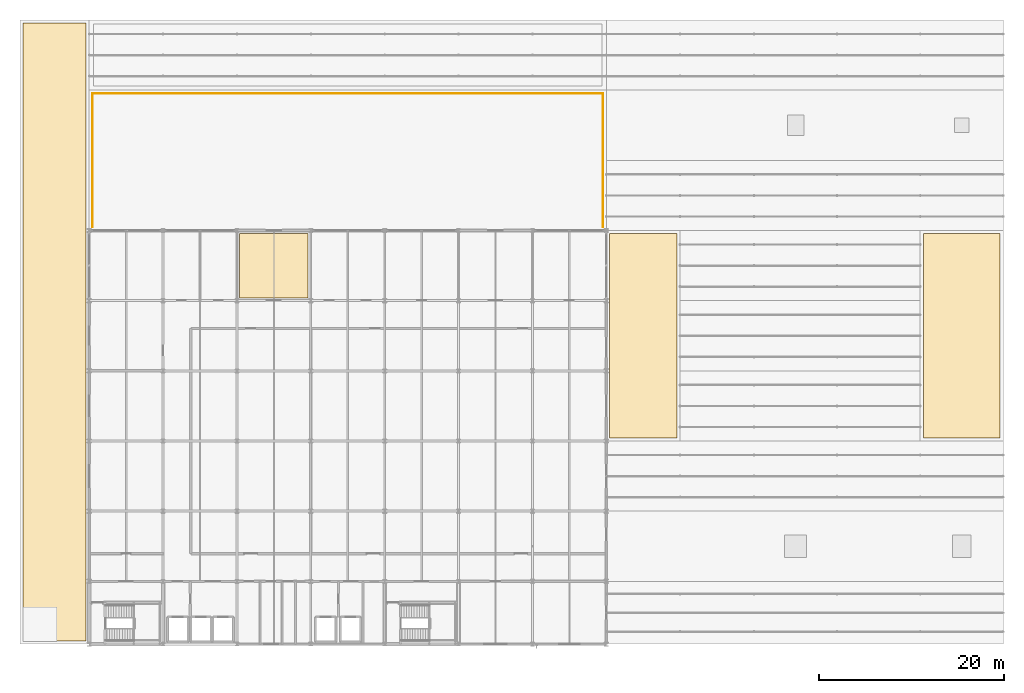
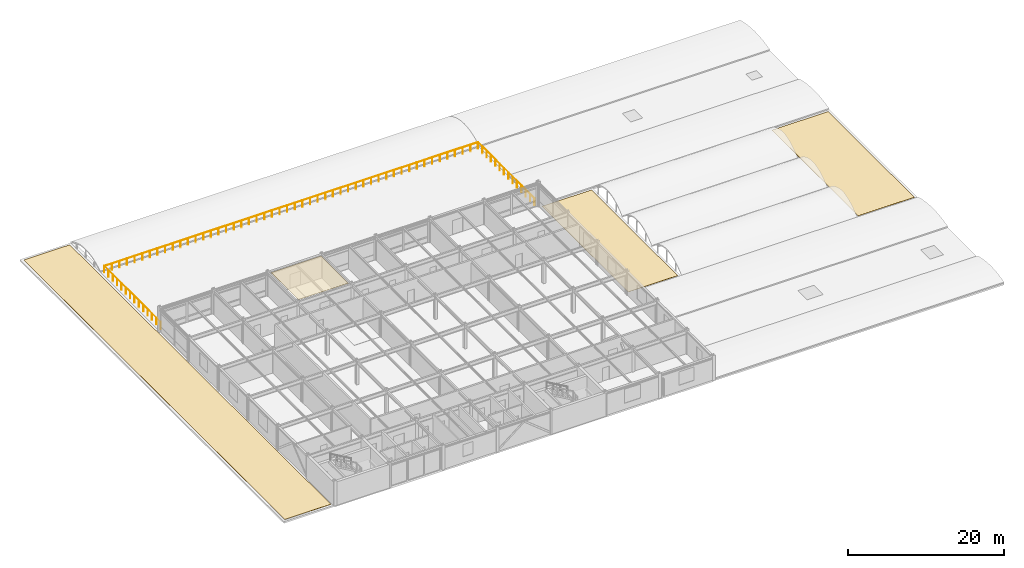
# One storey, part 46 of 46: 4 coverings, 1 railing.
"""IFC4 building model written with IfcOpenShell, lengths in metres."""

from ifc_helpers import new_model, si_unit, direction, frame, origin, origin_2d, place, context, subcontext, project, spatial, polyline, circle, outline, extrude, material, layer, layer_set, type_object, element, save


model = new_model("IFC4")

# Units and contexts
model_context = context("Model", 3, precision=1e-05, world=origin(), true_north=direction((0.0, 1.0)))
body_context = subcontext(model_context, "Body", "Model", "MODEL_VIEW")
ifc_project = project(units=[si_unit("LENGTHUNIT", "METRE"), si_unit("AREAUNIT", "SQUARE_METRE"), si_unit("VOLUMEUNIT", "CUBIC_METRE"), si_unit("PLANEANGLEUNIT", "RADIAN"), si_unit("MASSUNIT", "GRAM", prefix="KILO")], contexts=[model_context])

# Site, building, storey
site_placement = place(None, origin())
site = spatial("IfcSite", under=ifc_project, at=site_placement, CompositionType="ELEMENT")
building_placement = place(site_placement, origin())
building = spatial("IfcBuilding", under=site, at=building_placement, Name="Shalkamar Park Central Library", CompositionType="ELEMENT")
storey_placement = place(building_placement, frame((0.0, 0.0, 20.39990234375)))
storey = spatial("IfcBuildingStorey", under=building, at=storey_placement, Name="L05", CompositionType="ELEMENT", Elevation=20.39990234375)

# Coverings
ifc_material_1 = material(Name="Acoustic mineral fibre ceiling panel", Category="other")
ifc_layer_1 = layer(ifc_material_1, 0.02490234375)
ifc_layer_set_1 = layer_set([ifc_layer_1], Name="AcousticMineralCeilingTile")
covering_type_1 = type_object("IfcCoveringType", Name="Acoustic Mineral Ceiling Tile", PredefinedType="CEILING", material=ifc_layer_set_1)
covering_1_placement = place(storey_placement, frame((0.0, 0.0, 3.635009765625)))
element("IfcCovering", 1, at=covering_1_placement, inside=storey, type_object=covering_type_1, Name="Acoustic Reading Ceiling Panel L05", PredefinedType="CEILING", context=body_context, shape_type="SweptSolid", body=[
    extrude(outline(polyline([(181.300048828125, 285.89990234375), (188.699951171875, 285.89990234375), (188.699951171875, 292.89990234375), (181.300048828125, 292.89990234375), (181.300048828125, 285.89990234375)])), origin(), (0.0, 0.0, 1.0), 0.025146484375),
])
ifc_material_2 = material(Name="SBS modified bitumen roofing membrane", Category="other")
ifc_layer_2 = layer(ifc_material_2, 0.030029296875)
ifc_layer_set_2 = layer_set([ifc_layer_2], Name="ColdClimateRoofMembrane")
covering_type_2 = type_object("IfcCoveringType", Name="Cold Climate Roof Membrane", PredefinedType="ROOFING", material=ifc_layer_set_2)
covering_2_placement = place(storey_placement, origin())
element("IfcCovering", 2, at=covering_2_placement, inside=storey, type_object=covering_type_2, Name="SBS Roof Waterproofing Membrane RF-L04-W", PredefinedType="ROOFING", context=body_context, shape_type="SweptSolid", body=[
    extrude(outline(polyline([(157.85009765625, 248.75), (164.64990234375, 248.75), (164.64990234375, 315.64990234375), (157.85009765625, 315.64990234375), (157.85009765625, 248.75)])), origin(), (0.0, 0.0, 1.0), 0.030029296875),
])
covering_3_placement = place(storey_placement, origin())
element("IfcCovering", 3, at=covering_3_placement, inside=storey, type_object=covering_type_2, Name="SBS Roof Waterproofing Membrane RF-L04-CM", PredefinedType="ROOFING", context=body_context, shape_type="SweptSolid", body=[
    extrude(outline(polyline([(221.35009765625, 270.75), (228.64990234375, 270.75), (228.64990234375, 292.85009765625), (221.35009765625, 292.85009765625), (221.35009765625, 270.75)])), origin(), (0.0, 0.0, 1.0), 0.030029296875),
])
covering_4_placement = place(storey_placement, origin())
element("IfcCovering", 4, at=covering_4_placement, inside=storey, type_object=covering_type_2, Name="SBS Roof Waterproofing Membrane RF-L04-EE", PredefinedType="ROOFING", context=body_context, shape_type="SweptSolid", body=[
    extrude(outline(polyline([(255.35009765625, 270.75), (263.64990234375, 270.75), (263.64990234375, 292.85009765625), (255.35009765625, 292.85009765625), (255.35009765625, 270.75)])), origin(), (0.0, 0.0, 1.0), 0.030029296875),
])

# Railing
ifc_material_3 = material(Name="Steel S355", Category="steel")
railing_type = type_object("IfcRailingType", Name="Terrace Balustrade Guard 1100", PredefinedType="GUARDRAIL", material=ifc_material_3)
railing_placement = place(storey_placement, frame((165.360107421875, 293.56005859375, 0.0)))
element("IfcRailing", 5, at=railing_placement, inside=storey, type_object=railing_type, Name="Terrace Balustrade Guardrail TER-L05-POD", PredefinedType="GUARDRAIL", context=body_context, shape_type="SweptSolid", body=[
    extrude(circle(Radius=0.02392578125, at=origin_2d()), frame((0.0, 0.0, 1.076171875), z_axis=(0.0, 1.0, 0.0), x_axis=(-1.0, 0.0, 0.0)), (0.0, 0.0, 1.0), 14.47998046875),
    extrude(circle(Radius=0.02392578125, at=origin_2d()), frame((0.0, 14.47998046875, 1.076171875), z_axis=(1.0, 0.0, 0.0), x_axis=(0.0, 1.0, 0.0)), (0.0, 0.0, 1.0), 55.27978515625),
    extrude(circle(Radius=0.02392578125, at=origin_2d()), frame((55.27978515625, 14.47998046875, 1.076171875), z_axis=(0.0, -1.0, 0.0), x_axis=(1.0, 0.0, 0.0)), (0.0, 0.0, 1.0), 14.47998046875),
    extrude(circle(Radius=0.02099609375, at=origin_2d()), origin(), (0.0, 0.0, 1.0), 1.052001953125),
    extrude(circle(Radius=0.02099609375, at=origin_2d()), frame((0.0, 1.11376953125, 0.0)), (0.0, 0.0, 1.0), 1.052001953125),
    extrude(circle(Radius=0.02099609375, at=origin_2d()), frame((0.0, 2.227783203125, 0.0)), (0.0, 0.0, 1.0), 1.052001953125),
    extrude(circle(Radius=0.02099609375, at=origin_2d()), frame((0.0, 3.341552734375, 0.0)), (0.0, 0.0, 1.0), 1.052001953125),
    extrude(circle(Radius=0.02099609375, at=origin_2d()), frame((0.0, 4.455322265625, 0.0)), (0.0, 0.0, 1.0), 1.052001953125),
    extrude(circle(Radius=0.02099609375, at=origin_2d()), frame((0.0, 5.5693359375, 0.0)), (0.0, 0.0, 1.0), 1.052001953125),
    extrude(circle(Radius=0.02099609375, at=origin_2d()), frame((0.0, 6.68310546875, 0.0)), (0.0, 0.0, 1.0), 1.052001953125),
    extrude(circle(Radius=0.02099609375, at=origin_2d()), frame((0.0, 7.796875, 0.0)), (0.0, 0.0, 1.0), 1.052001953125),
    extrude(circle(Radius=0.02099609375, at=origin_2d()), frame((0.0, 8.91064453125, 0.0)), (0.0, 0.0, 1.0), 1.052001953125),
    extrude(circle(Radius=0.02099609375, at=origin_2d()), frame((0.0, 10.024658203125, 0.0)), (0.0, 0.0, 1.0), 1.052001953125),
    extrude(circle(Radius=0.02099609375, at=origin_2d()), frame((0.0, 11.138427734375, 0.0)), (0.0, 0.0, 1.0), 1.052001953125),
    extrude(circle(Radius=0.02099609375, at=origin_2d()), frame((0.0, 12.252197265625, 0.0)), (0.0, 0.0, 1.0), 1.052001953125),
    extrude(circle(Radius=0.02099609375, at=origin_2d()), frame((0.0, 13.3662109375, 0.0)), (0.0, 0.0, 1.0), 1.052001953125),
    extrude(circle(Radius=0.02099609375, at=origin_2d()), frame((0.0, 14.47998046875, 0.0)), (0.0, 0.0, 1.0), 1.052001953125),
    extrude(circle(Radius=0.02099609375, at=origin_2d()), frame((1.128173828125, 14.47998046875, 0.0)), (0.0, 0.0, 1.0), 1.052001953125),
    extrude(circle(Radius=0.02099609375, at=origin_2d()), frame((2.25634765625, 14.47998046875, 0.0)), (0.0, 0.0, 1.0), 1.052001953125),
    extrude(circle(Radius=0.02099609375, at=origin_2d()), frame((3.384521484375, 14.47998046875, 0.0)), (0.0, 0.0, 1.0), 1.052001953125),
    extrude(circle(Radius=0.02099609375, at=origin_2d()), frame((4.5126953125, 14.47998046875, 0.0)), (0.0, 0.0, 1.0), 1.052001953125),
    extrude(circle(Radius=0.02099609375, at=origin_2d()), frame((5.640869140625, 14.47998046875, 0.0)), (0.0, 0.0, 1.0), 1.052001953125),
    extrude(circle(Radius=0.02099609375, at=origin_2d()), frame((6.76904296875, 14.47998046875, 0.0)), (0.0, 0.0, 1.0), 1.052001953125),
    extrude(circle(Radius=0.02099609375, at=origin_2d()), frame((7.897216796875, 14.47998046875, 0.0)), (0.0, 0.0, 1.0), 1.052001953125),
    extrude(circle(Radius=0.02099609375, at=origin_2d()), frame((9.025390625, 14.47998046875, 0.0)), (0.0, 0.0, 1.0), 1.052001953125),
    extrude(circle(Radius=0.02099609375, at=origin_2d()), frame((10.1533203125, 14.47998046875, 0.0)), (0.0, 0.0, 1.0), 1.052001953125),
    extrude(circle(Radius=0.02099609375, at=origin_2d()), frame((11.281494140625, 14.47998046875, 0.0)), (0.0, 0.0, 1.0), 1.052001953125),
    extrude(circle(Radius=0.02099609375, at=origin_2d()), frame((12.40966796875, 14.47998046875, 0.0)), (0.0, 0.0, 1.0), 1.052001953125),
    extrude(circle(Radius=0.02099609375, at=origin_2d()), frame((13.537841796875, 14.47998046875, 0.0)), (0.0, 0.0, 1.0), 1.052001953125),
    extrude(circle(Radius=0.02099609375, at=origin_2d()), frame((14.666015625, 14.47998046875, 0.0)), (0.0, 0.0, 1.0), 1.052001953125),
    extrude(circle(Radius=0.02099609375, at=origin_2d()), frame((15.794189453125, 14.47998046875, 0.0)), (0.0, 0.0, 1.0), 1.052001953125),
    extrude(circle(Radius=0.02099609375, at=origin_2d()), frame((16.92236328125, 14.47998046875, 0.0)), (0.0, 0.0, 1.0), 1.052001953125),
    extrude(circle(Radius=0.02099609375, at=origin_2d()), frame((18.050537109375, 14.47998046875, 0.0)), (0.0, 0.0, 1.0), 1.052001953125),
    extrude(circle(Radius=0.02099609375, at=origin_2d()), frame((19.1787109375, 14.47998046875, 0.0)), (0.0, 0.0, 1.0), 1.052001953125),
    extrude(circle(Radius=0.02099609375, at=origin_2d()), frame((20.306884765625, 14.47998046875, 0.0)), (0.0, 0.0, 1.0), 1.052001953125),
    extrude(circle(Radius=0.02099609375, at=origin_2d()), frame((21.43505859375, 14.47998046875, 0.0)), (0.0, 0.0, 1.0), 1.052001953125),
    extrude(circle(Radius=0.02099609375, at=origin_2d()), frame((22.563232421875, 14.47998046875, 0.0)), (0.0, 0.0, 1.0), 1.052001953125),
    extrude(circle(Radius=0.02099609375, at=origin_2d()), frame((23.69140625, 14.47998046875, 0.0)), (0.0, 0.0, 1.0), 1.052001953125),
    extrude(circle(Radius=0.02099609375, at=origin_2d()), frame((24.819580078125, 14.47998046875, 0.0)), (0.0, 0.0, 1.0), 1.052001953125),
    extrude(circle(Radius=0.02099609375, at=origin_2d()), frame((25.94775390625, 14.47998046875, 0.0)), (0.0, 0.0, 1.0), 1.052001953125),
    extrude(circle(Radius=0.02099609375, at=origin_2d()), frame((27.075927734375, 14.47998046875, 0.0)), (0.0, 0.0, 1.0), 1.052001953125),
    extrude(circle(Radius=0.02099609375, at=origin_2d()), frame((28.203857421875, 14.47998046875, 0.0)), (0.0, 0.0, 1.0), 1.052001953125),
    extrude(circle(Radius=0.02099609375, at=origin_2d()), frame((29.33203125, 14.47998046875, 0.0)), (0.0, 0.0, 1.0), 1.052001953125),
    extrude(circle(Radius=0.02099609375, at=origin_2d()), frame((30.460205078125, 14.47998046875, 0.0)), (0.0, 0.0, 1.0), 1.052001953125),
    extrude(circle(Radius=0.02099609375, at=origin_2d()), frame((31.58837890625, 14.47998046875, 0.0)), (0.0, 0.0, 1.0), 1.052001953125),
    extrude(circle(Radius=0.02099609375, at=origin_2d()), frame((32.716552734375, 14.47998046875, 0.0)), (0.0, 0.0, 1.0), 1.052001953125),
    extrude(circle(Radius=0.02099609375, at=origin_2d()), frame((33.8447265625, 14.47998046875, 0.0)), (0.0, 0.0, 1.0), 1.052001953125),
    extrude(circle(Radius=0.02099609375, at=origin_2d()), frame((34.972900390625, 14.47998046875, 0.0)), (0.0, 0.0, 1.0), 1.052001953125),
    extrude(circle(Radius=0.02099609375, at=origin_2d()), frame((36.10107421875, 14.47998046875, 0.0)), (0.0, 0.0, 1.0), 1.052001953125),
    extrude(circle(Radius=0.02099609375, at=origin_2d()), frame((37.229248046875, 14.47998046875, 0.0)), (0.0, 0.0, 1.0), 1.052001953125),
    extrude(circle(Radius=0.02099609375, at=origin_2d()), frame((38.357421875, 14.47998046875, 0.0)), (0.0, 0.0, 1.0), 1.052001953125),
    extrude(circle(Radius=0.02099609375, at=origin_2d()), frame((39.485595703125, 14.47998046875, 0.0)), (0.0, 0.0, 1.0), 1.052001953125),
    extrude(circle(Radius=0.02099609375, at=origin_2d()), frame((40.61376953125, 14.47998046875, 0.0)), (0.0, 0.0, 1.0), 1.052001953125),
    extrude(circle(Radius=0.02099609375, at=origin_2d()), frame((41.741943359375, 14.47998046875, 0.0)), (0.0, 0.0, 1.0), 1.052001953125),
    extrude(circle(Radius=0.02099609375, at=origin_2d()), frame((42.8701171875, 14.47998046875, 0.0)), (0.0, 0.0, 1.0), 1.052001953125),
    extrude(circle(Radius=0.02099609375, at=origin_2d()), frame((43.998291015625, 14.47998046875, 0.0)), (0.0, 0.0, 1.0), 1.052001953125),
    extrude(circle(Radius=0.02099609375, at=origin_2d()), frame((45.12646484375, 14.47998046875, 0.0)), (0.0, 0.0, 1.0), 1.052001953125),
    extrude(circle(Radius=0.02099609375, at=origin_2d()), frame((46.25439453125, 14.47998046875, 0.0)), (0.0, 0.0, 1.0), 1.052001953125),
    extrude(circle(Radius=0.02099609375, at=origin_2d()), frame((47.382568359375, 14.47998046875, 0.0)), (0.0, 0.0, 1.0), 1.052001953125),
    extrude(circle(Radius=0.02099609375, at=origin_2d()), frame((48.5107421875, 14.47998046875, 0.0)), (0.0, 0.0, 1.0), 1.052001953125),
    extrude(circle(Radius=0.02099609375, at=origin_2d()), frame((49.638916015625, 14.47998046875, 0.0)), (0.0, 0.0, 1.0), 1.052001953125),
    extrude(circle(Radius=0.02099609375, at=origin_2d()), frame((50.76708984375, 14.47998046875, 0.0)), (0.0, 0.0, 1.0), 1.052001953125),
    extrude(circle(Radius=0.02099609375, at=origin_2d()), frame((51.895263671875, 14.47998046875, 0.0)), (0.0, 0.0, 1.0), 1.052001953125),
    extrude(circle(Radius=0.02099609375, at=origin_2d()), frame((53.0234375, 14.47998046875, 0.0)), (0.0, 0.0, 1.0), 1.052001953125),
    extrude(circle(Radius=0.02099609375, at=origin_2d()), frame((54.151611328125, 14.47998046875, 0.0)), (0.0, 0.0, 1.0), 1.052001953125),
    extrude(circle(Radius=0.02099609375, at=origin_2d()), frame((55.27978515625, 14.47998046875, 0.0)), (0.0, 0.0, 1.0), 1.052001953125),
    extrude(circle(Radius=0.02099609375, at=origin_2d()), frame((55.27978515625, 13.3662109375, 0.0)), (0.0, 0.0, 1.0), 1.052001953125),
    extrude(circle(Radius=0.02099609375, at=origin_2d()), frame((55.27978515625, 12.252197265625, 0.0)), (0.0, 0.0, 1.0), 1.052001953125),
    extrude(circle(Radius=0.02099609375, at=origin_2d()), frame((55.27978515625, 11.138427734375, 0.0)), (0.0, 0.0, 1.0), 1.052001953125),
    extrude(circle(Radius=0.02099609375, at=origin_2d()), frame((55.27978515625, 10.024658203125, 0.0)), (0.0, 0.0, 1.0), 1.052001953125),
    extrude(circle(Radius=0.02099609375, at=origin_2d()), frame((55.27978515625, 8.91064453125, 0.0)), (0.0, 0.0, 1.0), 1.052001953125),
    extrude(circle(Radius=0.02099609375, at=origin_2d()), frame((55.27978515625, 7.796875, 0.0)), (0.0, 0.0, 1.0), 1.052001953125),
    extrude(circle(Radius=0.02099609375, at=origin_2d()), frame((55.27978515625, 6.68310546875, 0.0)), (0.0, 0.0, 1.0), 1.052001953125),
    extrude(circle(Radius=0.02099609375, at=origin_2d()), frame((55.27978515625, 5.5693359375, 0.0)), (0.0, 0.0, 1.0), 1.052001953125),
    extrude(circle(Radius=0.02099609375, at=origin_2d()), frame((55.27978515625, 4.455322265625, 0.0)), (0.0, 0.0, 1.0), 1.052001953125),
    extrude(circle(Radius=0.02099609375, at=origin_2d()), frame((55.27978515625, 3.341552734375, 0.0)), (0.0, 0.0, 1.0), 1.052001953125),
    extrude(circle(Radius=0.02099609375, at=origin_2d()), frame((55.27978515625, 2.227783203125, 0.0)), (0.0, 0.0, 1.0), 1.052001953125),
    extrude(circle(Radius=0.02099609375, at=origin_2d()), frame((55.27978515625, 1.11376953125, 0.0)), (0.0, 0.0, 1.0), 1.052001953125),
    extrude(circle(Radius=0.02099609375, at=origin_2d()), frame((55.27978515625, 0.0, 0.0)), (0.0, 0.0, 1.0), 1.052001953125),
])

save(model, "model.ifc")
